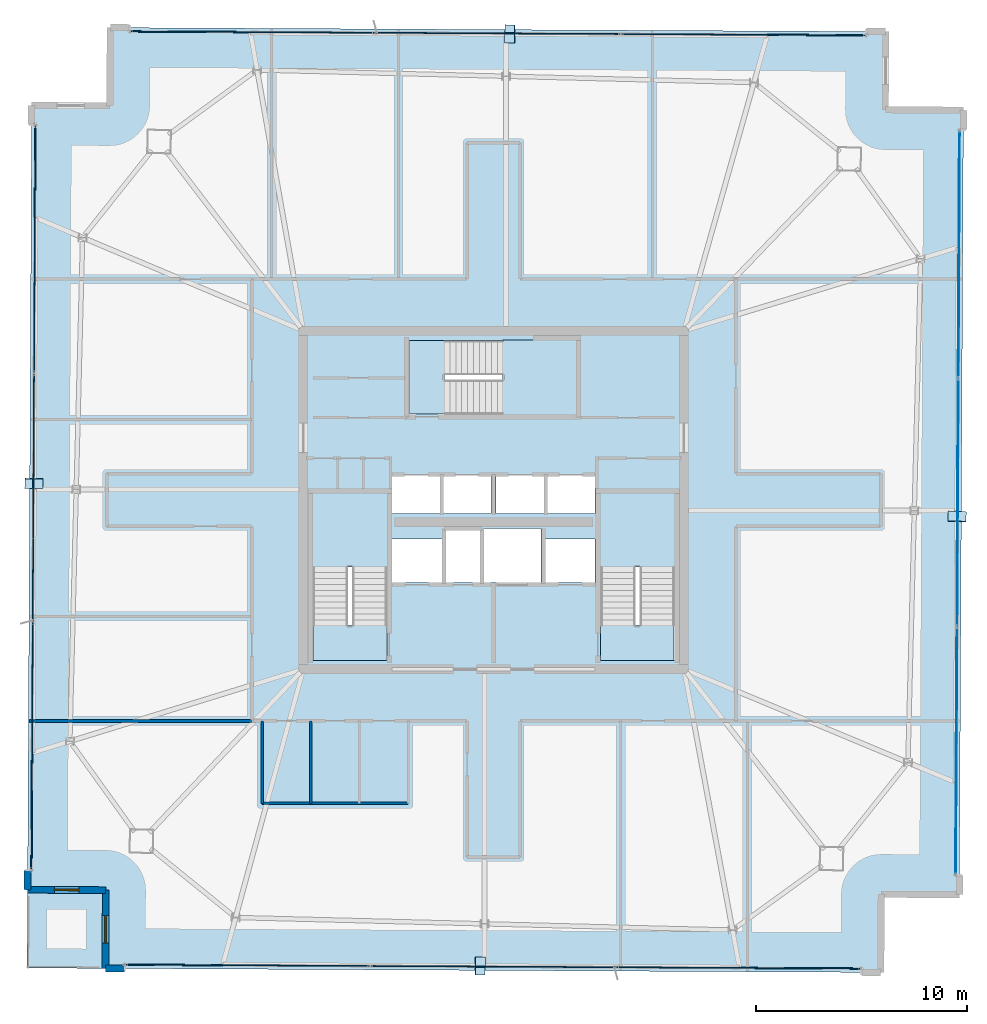
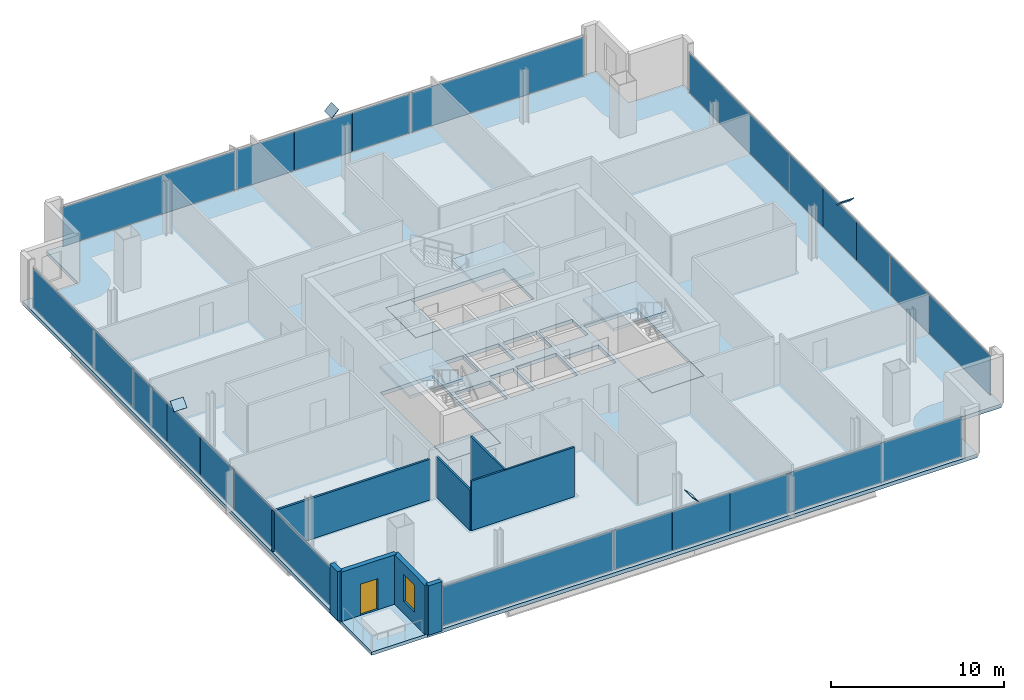
# One storey, part 18 of 24: 24 plates, 8 slabs, 8 walls, 1 door, 1 window, 2 openings, 7 elements without a shape of their own.
"""IFC4 building model written with IfcOpenShell, lengths in metres."""

from ifc_helpers import new_model, si_unit, direction, frame, frame_2d, origin, origin_2d, place, context, subcontext, project, spatial, polyline, rectangle, outline, extrude, source, transform, mapped, material, layer, layer_set, type_object, element, fill, aggregate, save


model = new_model("IFC4")

# Units and contexts
model_context = context("Model", 3, precision=1e-05, world=origin(), true_north=direction((0.0, 1.0)))
body_context = subcontext(model_context, "Body", "Model", "MODEL_VIEW")
ifc_project = project(units=[si_unit("LENGTHUNIT", "METRE"), si_unit("AREAUNIT", "SQUARE_METRE"), si_unit("VOLUMEUNIT", "CUBIC_METRE"), si_unit("PLANEANGLEUNIT", "RADIAN"), si_unit("MASSUNIT", "GRAM", prefix="KILO")], contexts=[model_context])

# Site, building, storey
site_placement = place(None, origin())
site = spatial("IfcSite", under=ifc_project, at=site_placement, CompositionType="ELEMENT")
building_placement = place(site_placement, origin())
building = spatial("IfcBuilding", under=site, at=building_placement, Name="Haldenkirk Collegiate Tower", CompositionType="ELEMENT")
storey_placement = place(building_placement, frame((0.0, 0.0, 328.949951171875)))
storey = spatial("IfcBuildingStorey", under=building, at=storey_placement, Name="L83", CompositionType="ELEMENT", Elevation=328.949951171875)

# Slab
ifc_material_1 = material(Name="Concrete f'c 40 MPa", Category="concrete")
ifc_layer_1 = layer(ifc_material_1, 0.260009765625)
ifc_layer_set_1 = layer_set([ifc_layer_1], Name="Concrete f'c 40 MPa")
slab_type_1 = type_object("IfcSlabType", Name="SLB-FLR-260", PredefinedType="FLOOR", material=ifc_layer_set_1)
slab_1_placement = place(storey_placement, frame((0.0, 0.0, -0.260009765625)))
element("IfcSlab", 1, at=slab_1_placement, inside=storey, type_object=slab_type_1, Name="L83 composite structural floor slab", PredefinedType="FLOOR", context=body_context, shape_type="SweptSolid", body=[
    extrude(outline(polyline([(58.027587890625, 7.33447265625), (58.2216796875, 44.433837890625), (54.52197265625, 44.453369140625), (54.541259765625, 48.1533203125), (17.86669921875, 48.34521484375), (17.847412109375, 44.645263671875), (14.1474609375, 44.664794921875), (13.953125, 7.565185546875), (17.653076171875, 7.5458984375), (17.6337890625, 3.845947265625), (54.30810546875, 3.65380859375), (54.32763671875, 7.353759765625), (58.027587890625, 7.33447265625)]), holes=[polyline([(27.449951171875, 18.39990234375), (30.949951171875, 18.39990234375), (30.949951171875, 26.300048828125), (27.449951171875, 26.300048828125), (27.449951171875, 18.39990234375)]), polyline([(41.050048828125, 18.39990234375), (44.550048828125, 18.39990234375), (44.550048828125, 26.300048828125), (41.050048828125, 26.300048828125), (41.050048828125, 18.39990234375)]), polyline([(32.0, 30.050048828125), (39.89990234375, 30.050048828125), (39.89990234375, 33.550048828125), (32.0, 33.550048828125), (32.0, 30.050048828125)]), polyline([(33.75, 22.10009765625), (35.35009765625, 22.10009765625), (35.35009765625, 24.550048828125), (33.75, 24.550048828125), (33.75, 22.10009765625)]), polyline([(31.199951171875, 25.35009765625), (33.47998046875, 25.35009765625), (33.47998046875, 27.14990234375), (31.199951171875, 27.14990234375), (31.199951171875, 25.35009765625)]), polyline([(33.60009765625, 25.35009765625), (35.8798828125, 25.35009765625), (35.8798828125, 27.14990234375), (33.60009765625, 27.14990234375), (33.60009765625, 25.35009765625)]), polyline([(36.1201171875, 25.35009765625), (38.39990234375, 25.35009765625), (38.39990234375, 27.14990234375), (36.1201171875, 27.14990234375), (36.1201171875, 25.35009765625)]), polyline([(38.52001953125, 25.35009765625), (40.800048828125, 25.35009765625), (40.800048828125, 27.14990234375), (38.52001953125, 27.14990234375), (38.52001953125, 25.35009765625)]), polyline([(31.199951171875, 22.10009765625), (33.550048828125, 22.10009765625), (33.550048828125, 24.14990234375), (31.199951171875, 24.14990234375), (31.199951171875, 22.10009765625)]), polyline([(38.449951171875, 22.10009765625), (40.800048828125, 22.10009765625), (40.800048828125, 24.14990234375), (38.449951171875, 24.14990234375), (38.449951171875, 22.10009765625)]), polyline([(35.550048828125, 22.10009765625), (38.25, 22.10009765625), (38.25, 24.64990234375), (35.550048828125, 24.64990234375), (35.550048828125, 22.10009765625)])]), origin(), (0.0, 0.0, 1.0), 0.260009765625),
])

# Stair, slab
stair_type = type_object("IfcStairType", Name="STR-DOGLEG-1650", PredefinedType="HALF_TURN_STAIR", material=ifc_material_1)
stair_1_placement = place(storey_placement, origin())
stair_1 = element("IfcStair", 2, at=stair_1_placement, inside=storey, type_object=stair_type, Name="L83 Core Exit Stair ST-1", PredefinedType="HALF_TURN_STAIR")
ifc_layer_2 = layer(ifc_material_1, 0.199951171875)
ifc_layer_set_2 = layer_set([ifc_layer_2], Name="Concrete f'c 40 MPa")
slab_type_2 = type_object("IfcSlabType", Name="SLB-LANDING-200", PredefinedType="LANDING", material=ifc_layer_set_2)
slab_2_placement = place(storey_placement, frame((0.0, 0.0, 1.675048828125)))
slab_2 = element("IfcSlab", 3, at=slab_2_placement, type_object=slab_type_2, Name="ST-1 landing 1", PredefinedType="LANDING", context=body_context, shape_type="SweptSolid", body=[
    extrude(outline(polyline([(30.97509765625, 22.824951171875), (27.425048828125, 22.824951171875), (27.425048828125, 26.324951171875), (30.97509765625, 26.324951171875), (30.97509765625, 22.824951171875)])), origin(), (0.0, 0.0, 1.0), 0.199951171875),
])
aggregate(stair_1, [slab_2])

stair_2_placement = place(storey_placement, origin())
stair_2 = element("IfcStair", 4, at=stair_2_placement, inside=storey, type_object=stair_type, Name="L83 Core Exit Stair ST-2", PredefinedType="HALF_TURN_STAIR")
slab_3_placement = place(storey_placement, frame((0.0, 0.0, 1.675048828125)))
slab_3 = element("IfcSlab", 5, at=slab_3_placement, type_object=slab_type_2, Name="ST-2 landing 1", PredefinedType="LANDING", context=body_context, shape_type="SweptSolid", body=[
    extrude(outline(polyline([(44.574951171875, 22.824951171875), (41.02490234375, 22.824951171875), (41.02490234375, 26.324951171875), (44.574951171875, 26.324951171875), (44.574951171875, 22.824951171875)])), origin(), (0.0, 0.0, 1.0), 0.199951171875),
])
aggregate(stair_2, [slab_3])

stair_3_placement = place(storey_placement, origin())
stair_3 = element("IfcStair", 6, at=stair_3_placement, inside=storey, type_object=stair_type, Name="L83 Core Exit Stair ST-3", PredefinedType="HALF_TURN_STAIR")
slab_4_placement = place(storey_placement, frame((0.0, 0.0, 1.675048828125)))
slab_4 = element("IfcSlab", 7, at=slab_4_placement, type_object=slab_type_2, Name="ST-3 landing 1", PredefinedType="LANDING", context=body_context, shape_type="SweptSolid", body=[
    extrude(outline(polyline([(36.425048828125, 30.02490234375), (36.425048828125, 33.574951171875), (39.925048828125, 33.574951171875), (39.925048828125, 30.02490234375), (36.425048828125, 30.02490234375)])), origin(), (0.0, 0.0, 1.0), 0.199951171875),
])
aggregate(stair_3, [slab_4])

# Slabs
ifc_layer_3 = layer(ifc_material_1, 0.25)
ifc_layer_set_3 = layer_set([ifc_layer_3], Name="Concrete f'c 40 MPa")
slab_type_3 = type_object("IfcSlabType", Name="SLB-STAIRLAND-250", PredefinedType="LANDING", material=ifc_layer_set_3)
slab_5_placement = place(storey_placement, frame((0.0, 0.0, -0.25)))
element("IfcSlab", 8, at=slab_5_placement, inside=storey, type_object=slab_type_3, Name="L83 stair ST1 structural floor landing slab", PredefinedType="LANDING", context=body_context, shape_type="SweptSolid", body=[
    extrude(outline(polyline([(27.4599609375, 18.409912109375), (30.93994140625, 18.409912109375), (30.93994140625, 20.080078125), (27.4599609375, 20.080078125), (27.4599609375, 18.409912109375)])), origin(), (0.0, 0.0, 1.0), 0.25),
])
slab_6_placement = place(storey_placement, frame((0.0, 0.0, -0.25)))
element("IfcSlab", 9, at=slab_6_placement, inside=storey, type_object=slab_type_3, Name="L83 stair ST2 structural floor landing slab", PredefinedType="LANDING", context=body_context, shape_type="SweptSolid", body=[
    extrude(outline(polyline([(41.06005859375, 18.409912109375), (44.5400390625, 18.409912109375), (44.5400390625, 20.080078125), (41.06005859375, 20.080078125), (41.06005859375, 18.409912109375)])), origin(), (0.0, 0.0, 1.0), 0.25),
])
slab_7_placement = place(storey_placement, frame((0.0, 0.0, -0.25)))
element("IfcSlab", 10, at=slab_7_placement, inside=storey, type_object=slab_type_3, Name="L83 stair ST3 structural floor landing slab", PredefinedType="LANDING", context=body_context, shape_type="SweptSolid", body=[
    extrude(outline(polyline([(32.010009765625, 30.06005859375), (33.679931640625, 30.06005859375), (33.679931640625, 33.5400390625), (32.010009765625, 33.5400390625), (32.010009765625, 30.06005859375)])), origin(), (0.0, 0.0, 1.0), 0.25),
])
ifc_layer_4 = layer(ifc_material_1, 0.22998046875)
ifc_layer_set_4 = layer_set([ifc_layer_4], Name="Concrete f'c 40 MPa")
slab_type_4 = type_object("IfcSlabType", Name="SLB-TERR-SPIRAL-230", PredefinedType="FLOOR", material=ifc_layer_set_4)
slab_8_placement = place(storey_placement, frame((0.0, 0.0, -0.22998046875)))
element("IfcSlab", 11, at=slab_8_placement, inside=storey, type_object=slab_type_4, Name="L83 spiralling corner terrace slab", PredefinedType="FLOOR", context=body_context, shape_type="SweptSolid", body=[
    extrude(outline(polyline([(17.6337890625, 3.845947265625), (17.653076171875, 7.5458984375), (13.953125, 7.565185546875), (13.933837890625, 3.865234375), (17.6337890625, 3.845947265625)])), origin(), (0.0, 0.0, 1.0), 0.22998046875),
])

# Plates
ifc_material_2 = material(Name="Steel ASTM A572 Grade 50", Category="steel")
ifc_layer_5 = layer(ifc_material_2, 0.034912109375)
ifc_layer_set_5 = layer_set([ifc_layer_5], Name="Steel ASTM A572 Grade 50")
plate_type_1 = type_object("IfcPlateType", Name="PLT-CAP-EXT-760X600", PredefinedType="USERDEFINED", material=ifc_layer_set_5)
shared_shape_1 = source(origin(), body_context, "Body", "SweptSolid", [
    extrude(rectangle(XDim=0.860107421875, YDim=0.659912109375, at=origin_2d()), origin(), (0.0, 0.0, 1.0), 0.034912109375),
])
for number, where, z_axis, x_axis, name in (
    (12, (57.9189453125, 25.203857421875, 3.47802734375), (0.023845012577, 0.72411838193, 0.689263363546), (-0.999458255389, 0.032911939105, -6.5898e-08), "Perimeter Mega Brace Z6 L81-L83 SL end cap plate 2"),
    (13, (36.778076171875, 48.0439453125, 3.47802734375), (-0.715404753856, 0.012369995744, 0.698600759637), (-0.01728816053, -0.999850548585, 1.64332e-07), "Perimeter Mega Brace Z6 L81-L83 EL end cap plate 2"),
    (14, (14.255859375, 26.794677734375, 3.47802734375), (-0.013274994234, -0.726304684539, 0.687244701504), (0.999833012725, -0.018274207665, 1.96212e-07), "Perimeter Mega Brace Z6 L81-L83 NL end cap plate 2"),
    (15, (35.34814453125, 3.9580078125, 3.47802734375), (0.715408804797, -0.011897996754, 0.698604809382), (0.016628868013, 0.999861730815, -1.24481e-07), "Perimeter Mega Brace Z6 L81-L83 WL end cap plate 2"),
):
    element("IfcPlate", number, at=place(storey_placement, frame(where, z_axis=z_axis, x_axis=x_axis)), inside=storey, type_object=plate_type_1, Name=name, ObjectType="END CAP PLATE", PredefinedType="USERDEFINED", context=body_context, shape_type="MappedRepresentation", body=[
        mapped(shared_shape_1, transform((0.0, 0.0, 0.0), x_axis=(1.0, 0.0, 0.0), y_axis=(0.0, 1.0, 0.0), z_axis=(0.0, 0.0, 1.0), scale=1.0)),
    ])

# Curtain wall, plates
ifc_material_3 = material(Name="Anodised architectural bronze aluminium", Category="aluminium")
curtain_wall_type_1 = type_object("IfcCurtainWallType", Name="CW-SYS2-CONCAVE", PredefinedType="USERDEFINED", material=ifc_material_3)
curtain_wall_1_placement = place(storey_placement, origin())
curtain_wall_1 = element("IfcCurtainWall", 16, at=curtain_wall_1_placement, inside=storey, type_object=curtain_wall_type_1, Name="L83 South concave recessed bronze-anodised curtain wall", ObjectType="UNITISED CURTAIN WALL", PredefinedType="USERDEFINED")
ifc_material_4 = material(Name="Bronze-anodised insulated aluminium spandrel panel", Category="aluminium")
ifc_layer_6 = layer(ifc_material_4, 0.0419921875)
ifc_layer_set_6 = layer_set([ifc_layer_6], Name="Bronze-anodised insulated aluminium spandrel panel")
plate_type_2 = type_object("IfcPlateType", Name="CW-SPD-02", PredefinedType="CURTAIN_PANEL", material=ifc_layer_set_6)
shared_shape_2 = source(origin(), body_context, "Body", "SweptSolid", [
    extrude(rectangle(XDim=3.872314453125, YDim=0.0419921875, at=origin_2d()), origin(), (0.0, 0.0, 1.0), 2.798095703125),
])
plate_1_placement = place(storey_placement, frame((57.944580078125, 25.885009765625, 0.0751953125), z_axis=(0.0, 0.0, 1.0), x_axis=(-0.00523512989, -0.999986296614, 0.0)))
plate_1 = element("IfcPlate", 17, at=plate_1_placement, type_object=plate_type_2, Name="CW-02 spandrel panel 2.1b", PredefinedType="CURTAIN_PANEL", context=body_context, shape_type="MappedRepresentation", body=[
    mapped(shared_shape_2, transform((0.0, 0.0, 0.0), x_axis=(1.0, 0.0, 0.0), y_axis=(0.0, 1.0, 0.0), z_axis=(0.0, 0.0, 1.0), scale=1.0)),
])
shared_shape_3 = source(origin(), body_context, "Body", "SweptSolid", [
    extrude(rectangle(XDim=3.884765625, YDim=0.0419921875, at=origin_2d()), origin(), (0.0, 0.0, 1.0), 2.798095703125),
])
plate_2_placement = place(storey_placement, frame((57.965087890625, 29.78857421875, 0.0751953125), z_axis=(0.0, 0.0, 1.0), x_axis=(-0.00523512989, -0.999986296614, 0.0)))
plate_2 = element("IfcPlate", 18, at=plate_2_placement, type_object=plate_type_2, Name="CW-02 spandrel panel 2.1a", PredefinedType="CURTAIN_PANEL", context=body_context, shape_type="MappedRepresentation", body=[
    mapped(shared_shape_3, transform((0.0, 0.0, 0.0), x_axis=(1.0, 0.0, 0.0), y_axis=(0.0, 1.0, 0.0), z_axis=(0.0, 0.0, 1.0), scale=1.0)),
])
plate_3_placement = place(storey_placement, frame((57.92431640625, 21.981689453125, 0.0751953125), z_axis=(0.0, 0.0, 1.0), x_axis=(-0.00523512989, -0.999986296614, 0.0)))
plate_3 = element("IfcPlate", 19, at=plate_3_placement, type_object=plate_type_2, Name="CW-02 spandrel panel 2.1c", PredefinedType="CURTAIN_PANEL", context=body_context, shape_type="MappedRepresentation", body=[
    mapped(shared_shape_3, transform((0.0, 0.0, 0.0), x_axis=(1.0, 0.0, 0.0), y_axis=(0.0, 1.0, 0.0), z_axis=(0.0, 0.0, 1.0), scale=1.0)),
])

curtain_wall_type_2 = type_object("IfcCurtainWallType", Name="CW-SYS1B-CONVEX-HI", PredefinedType="USERDEFINED", material=ifc_material_3)
curtain_wall_2_placement = place(storey_placement, origin())
curtain_wall_2 = element("IfcCurtainWall", 20, at=curtain_wall_2_placement, inside=storey, type_object=curtain_wall_type_2, Name="L83 Upper tower high-wind convex bronze unitised curtain wall", ObjectType="UNITISED CURTAIN WALL", PredefinedType="USERDEFINED")
ifc_layer_7 = layer(ifc_material_4, 0.048095703125)
ifc_layer_set_7 = layer_set([ifc_layer_7], Name="Bronze-anodised insulated aluminium spandrel panel")
plate_type_3 = type_object("IfcPlateType", Name="CW-SPD-1B", PredefinedType="CURTAIN_PANEL", material=ifc_layer_set_7)
shared_shape_4 = source(origin(), body_context, "Body", "SweptSolid", [
    extrude(rectangle(XDim=3.834228515625, YDim=0.048095703125, at=origin_2d()), origin(), (0.0, 0.0, 1.0), 2.778076171875),
])
plate_4_placement = place(storey_placement, frame((32.35009765625, 48.08935546875, 0.0849609375), z_axis=(0.0, 0.0, 1.0), x_axis=(0.999986277771, -0.005238727924, 0.0)))
plate_4 = element("IfcPlate", 21, at=plate_4_placement, type_object=plate_type_3, Name="CW-1B spandrel panel 2.1a", PredefinedType="CURTAIN_PANEL", context=body_context, shape_type="MappedRepresentation", body=[
    mapped(shared_shape_4, transform((0.0, 0.0, 0.0), x_axis=(1.0, 0.0, 0.0), y_axis=(0.0, 1.0, 0.0), z_axis=(0.0, 0.0, 1.0), scale=1.0)),
])
plate_5_placement = place(storey_placement, frame((40.055908203125, 48.049072265625, 0.0849609375), z_axis=(0.0, 0.0, 1.0), x_axis=(0.999986277771, -0.005238727924, 0.0)))
plate_5 = element("IfcPlate", 22, at=plate_5_placement, type_object=plate_type_3, Name="CW-1B spandrel panel 2.1c", PredefinedType="CURTAIN_PANEL", context=body_context, shape_type="MappedRepresentation", body=[
    mapped(shared_shape_4, transform((0.0, 0.0, 0.0), x_axis=(1.0, 0.0, 0.0), y_axis=(0.0, 1.0, 0.0), z_axis=(0.0, 0.0, 1.0), scale=1.0)),
])

curtain_wall_3_placement = place(storey_placement, origin())
curtain_wall_3 = element("IfcCurtainWall", 23, at=curtain_wall_3_placement, inside=storey, type_object=curtain_wall_type_2, Name="L83 Upper tower high-wind convex bronze unitised curtain wall", ObjectType="UNITISED CURTAIN WALL", PredefinedType="USERDEFINED")
plate_6_placement = place(storey_placement, frame((39.82470703125, 3.90966796875, 0.0849609375), z_axis=(0.0, 0.0, 1.0), x_axis=(-0.999986277849, 0.005238712897, 0.0)))
plate_6 = element("IfcPlate", 24, at=plate_6_placement, type_object=plate_type_3, Name="CW-1B spandrel panel 2.1a", PredefinedType="CURTAIN_PANEL", context=body_context, shape_type="MappedRepresentation", body=[
    mapped(shared_shape_4, transform((0.0, 0.0, 0.0), x_axis=(1.0, 0.0, 0.0), y_axis=(0.0, 1.0, 0.0), z_axis=(0.0, 0.0, 1.0), scale=1.0)),
])
plate_7_placement = place(storey_placement, frame((32.118896484375, 3.949951171875, 0.0849609375), z_axis=(0.0, 0.0, 1.0), x_axis=(-0.999986277849, 0.005238712897, 0.0)))
plate_7 = element("IfcPlate", 25, at=plate_7_placement, type_object=plate_type_3, Name="CW-1B spandrel panel 2.1c", PredefinedType="CURTAIN_PANEL", context=body_context, shape_type="MappedRepresentation", body=[
    mapped(shared_shape_4, transform((0.0, 0.0, 0.0), x_axis=(1.0, 0.0, 0.0), y_axis=(0.0, 1.0, 0.0), z_axis=(0.0, 0.0, 1.0), scale=1.0)),
])

# Plate
shared_shape_5 = source(origin(), body_context, "Body", "SweptSolid", [
    extrude(rectangle(XDim=3.82177734375, YDim=0.048095703125, at=origin_2d()), origin(), (0.0, 0.0, 1.0), 2.778076171875),
])
plate_8_placement = place(storey_placement, frame((36.203125, 48.069091796875, 0.0849609375), z_axis=(0.0, 0.0, 1.0), x_axis=(0.999986277771, -0.005238727924, 0.0)))
plate_8 = element("IfcPlate", 26, at=plate_8_placement, type_object=plate_type_3, Name="CW-1B spandrel panel 2.1b", PredefinedType="CURTAIN_PANEL", context=body_context, shape_type="MappedRepresentation", body=[
    mapped(shared_shape_5, transform((0.0, 0.0, 0.0), x_axis=(1.0, 0.0, 0.0), y_axis=(0.0, 1.0, 0.0), z_axis=(0.0, 0.0, 1.0), scale=1.0)),
])

plate_9_placement = place(storey_placement, frame((35.971923828125, 3.9296875, 0.0849609375), z_axis=(0.0, 0.0, 1.0), x_axis=(-0.999986277849, 0.005238712897, 0.0)))
plate_9 = element("IfcPlate", 27, at=plate_9_placement, type_object=plate_type_3, Name="CW-1B spandrel panel 2.1b", PredefinedType="CURTAIN_PANEL", context=body_context, shape_type="MappedRepresentation", body=[
    mapped(shared_shape_5, transform((0.0, 0.0, 0.0), x_axis=(1.0, 0.0, 0.0), y_axis=(0.0, 1.0, 0.0), z_axis=(0.0, 0.0, 1.0), scale=1.0)),
])

# Curtain wall, plates
curtain_wall_4_placement = place(storey_placement, origin())
curtain_wall_4 = element("IfcCurtainWall", 28, at=curtain_wall_4_placement, inside=storey, type_object=curtain_wall_type_2, Name="L83 Upper tower high-wind convex bronze unitised curtain wall", ObjectType="UNITISED CURTAIN WALL", PredefinedType="USERDEFINED")
shared_shape_6 = source(origin(), body_context, "Body", "SweptSolid", [
    extrude(rectangle(XDim=3.88134765625, YDim=0.048095703125, at=origin_2d()), origin(), (0.0, 0.0, 1.0), 2.778076171875),
])
plate_10_placement = place(storey_placement, frame((14.2099609375, 22.214111328125, 0.0849609375), z_axis=(0.0, 0.0, 1.0), x_axis=(0.00523512989, 0.999986296614, 0.0)))
plate_10 = element("IfcPlate", 29, at=plate_10_placement, type_object=plate_type_3, Name="CW-1B spandrel panel 2.1a", PredefinedType="CURTAIN_PANEL", context=body_context, shape_type="MappedRepresentation", body=[
    mapped(shared_shape_6, transform((0.0, 0.0, 0.0), x_axis=(1.0, 0.0, 0.0), y_axis=(0.0, 1.0, 0.0), z_axis=(0.0, 0.0, 1.0), scale=1.0)),
])
plate_11_placement = place(storey_placement, frame((14.250732421875, 30.01416015625, 0.0849609375), z_axis=(0.0, 0.0, 1.0), x_axis=(0.00523512989, 0.999986296614, 0.0)))
plate_11 = element("IfcPlate", 30, at=plate_11_placement, type_object=plate_type_3, Name="CW-1B spandrel panel 2.1c", PredefinedType="CURTAIN_PANEL", context=body_context, shape_type="MappedRepresentation", body=[
    mapped(shared_shape_6, transform((0.0, 0.0, 0.0), x_axis=(1.0, 0.0, 0.0), y_axis=(0.0, 1.0, 0.0), z_axis=(0.0, 0.0, 1.0), scale=1.0)),
])
shared_shape_7 = source(origin(), body_context, "Body", "SweptSolid", [
    extrude(rectangle(XDim=3.868896484375, YDim=0.048095703125, at=origin_2d()), origin(), (0.0, 0.0, 1.0), 2.778076171875),
])
plate_12_placement = place(storey_placement, frame((14.230224609375, 26.114013671875, 0.0849609375), z_axis=(0.0, 0.0, 1.0), x_axis=(0.00523512989, 0.999986296614, 0.0)))
plate_12 = element("IfcPlate", 31, at=plate_12_placement, type_object=plate_type_3, Name="CW-1B spandrel panel 2.1b", PredefinedType="CURTAIN_PANEL", context=body_context, shape_type="MappedRepresentation", body=[
    mapped(shared_shape_7, transform((0.0, 0.0, 0.0), x_axis=(1.0, 0.0, 0.0), y_axis=(0.0, 1.0, 0.0), z_axis=(0.0, 0.0, 1.0), scale=1.0)),
])

# Plate
ifc_material_5 = material(Name="Low-E argon triple insulating glass", Category="glass")
ifc_layer_8 = layer(ifc_material_5, 0.0419921875)
ifc_layer_set_8 = layer_set([ifc_layer_8], Name="Low-E argon triple insulating glass")
plate_type_4 = type_object("IfcPlateType", Name="CW-PNL-02", PredefinedType="CURTAIN_PANEL", material=ifc_layer_set_8)
shared_shape_8 = source(origin(), body_context, "Body", "SweptSolid", [
    extrude(rectangle(XDim=11.654052734375, YDim=0.0419921875, at=origin_2d()), origin(), (0.0, 0.0, 1.0), 2.798095703125),
])
plate_13_placement = place(storey_placement, frame((58.006103515625, 37.6328125, 0.0751953125), z_axis=(0.0, 0.0, 1.0), x_axis=(-0.00523512989, -0.999986296614, 0.0)))
plate_13 = element("IfcPlate", 32, at=plate_13_placement, type_object=plate_type_4, Name="CW-02 panel 1.1", PredefinedType="CURTAIN_PANEL", context=body_context, shape_type="MappedRepresentation", body=[
    mapped(shared_shape_8, transform((0.0, 0.0, 0.0), x_axis=(1.0, 0.0, 0.0), y_axis=(0.0, 1.0, 0.0), z_axis=(0.0, 0.0, 1.0), scale=1.0)),
])

plate_14_placement = place(storey_placement, frame((57.88330078125, 14.13720703125, 0.0751953125), z_axis=(0.0, 0.0, 1.0), x_axis=(-0.00523512989, -0.999986296614, 0.0)))
plate_14 = element("IfcPlate", 33, at=plate_14_placement, type_object=plate_type_4, Name="CW-02 panel 3.1", PredefinedType="CURTAIN_PANEL", context=body_context, shape_type="MappedRepresentation", body=[
    mapped(shared_shape_8, transform((0.0, 0.0, 0.0), x_axis=(1.0, 0.0, 0.0), y_axis=(0.0, 1.0, 0.0), z_axis=(0.0, 0.0, 1.0), scale=1.0)),
])

aggregate(curtain_wall_1, [plate_13, plate_2, plate_1, plate_3, plate_14])

ifc_layer_9 = layer(ifc_material_5, 0.048095703125)
ifc_layer_set_9 = layer_set([ifc_layer_9], Name="Low-E argon triple insulating glass")
plate_type_5 = type_object("IfcPlateType", Name="CW-PNL-1B", PredefinedType="CURTAIN_PANEL", material=ifc_layer_set_9)
shared_shape_9 = source(origin(), body_context, "Body", "SweptSolid", [
    extrude(rectangle(XDim=11.49755859375, YDim=0.048095703125, at=origin_2d()), origin(), (0.0, 0.0, 1.0), 2.778076171875),
])
plate_15_placement = place(storey_placement, frame((24.599609375, 48.130126953125, 0.0849609375), z_axis=(0.0, 0.0, 1.0), x_axis=(0.999986277771, -0.005238727924, 0.0)))
plate_15 = element("IfcPlate", 34, at=plate_15_placement, type_object=plate_type_5, Name="CW-1B panel 1.1", PredefinedType="CURTAIN_PANEL", context=body_context, shape_type="MappedRepresentation", body=[
    mapped(shared_shape_9, transform((0.0, 0.0, 0.0), x_axis=(1.0, 0.0, 0.0), y_axis=(0.0, 1.0, 0.0), z_axis=(0.0, 0.0, 1.0), scale=1.0)),
])

plate_16_placement = place(storey_placement, frame((47.806640625, 48.008544921875, 0.0849609375), z_axis=(0.0, 0.0, 1.0), x_axis=(0.999986277771, -0.005238727924, 0.0)))
plate_16 = element("IfcPlate", 35, at=plate_16_placement, type_object=plate_type_5, Name="CW-1B panel 3.1", PredefinedType="CURTAIN_PANEL", context=body_context, shape_type="MappedRepresentation", body=[
    mapped(shared_shape_9, transform((0.0, 0.0, 0.0), x_axis=(1.0, 0.0, 0.0), y_axis=(0.0, 1.0, 0.0), z_axis=(0.0, 0.0, 1.0), scale=1.0)),
])

aggregate(curtain_wall_2, [plate_15, plate_4, plate_8, plate_5, plate_16])

plate_17_placement = place(storey_placement, frame((47.575439453125, 3.869140625, 0.0849609375), z_axis=(0.0, 0.0, 1.0), x_axis=(-0.999986277849, 0.005238712897, 0.0)))
plate_17 = element("IfcPlate", 36, at=plate_17_placement, type_object=plate_type_5, Name="CW-1B panel 1.1", PredefinedType="CURTAIN_PANEL", context=body_context, shape_type="MappedRepresentation", body=[
    mapped(shared_shape_9, transform((0.0, 0.0, 0.0), x_axis=(1.0, 0.0, 0.0), y_axis=(0.0, 1.0, 0.0), z_axis=(0.0, 0.0, 1.0), scale=1.0)),
])

plate_18_placement = place(storey_placement, frame((24.3681640625, 3.99072265625, 0.0849609375), z_axis=(0.0, 0.0, 1.0), x_axis=(-0.999986277849, 0.005238712897, 0.0)))
plate_18 = element("IfcPlate", 37, at=plate_18_placement, type_object=plate_type_5, Name="CW-1B panel 3.1", PredefinedType="CURTAIN_PANEL", context=body_context, shape_type="MappedRepresentation", body=[
    mapped(shared_shape_9, transform((0.0, 0.0, 0.0), x_axis=(1.0, 0.0, 0.0), y_axis=(0.0, 1.0, 0.0), z_axis=(0.0, 0.0, 1.0), scale=1.0)),
])

aggregate(curtain_wall_3, [plate_17, plate_6, plate_9, plate_7, plate_18])

shared_shape_10 = source(origin(), body_context, "Body", "SweptSolid", [
    extrude(rectangle(XDim=11.63916015625, YDim=0.048095703125, at=origin_2d()), origin(), (0.0, 0.0, 1.0), 2.778076171875),
])
plate_19_placement = place(storey_placement, frame((14.168701171875, 14.368896484375, 0.0849609375), z_axis=(0.0, 0.0, 1.0), x_axis=(0.00523512989, 0.999986296614, 0.0)))
plate_19 = element("IfcPlate", 38, at=plate_19_placement, type_object=plate_type_5, Name="CW-1B panel 1.1", PredefinedType="CURTAIN_PANEL", context=body_context, shape_type="MappedRepresentation", body=[
    mapped(shared_shape_10, transform((0.0, 0.0, 0.0), x_axis=(1.0, 0.0, 0.0), y_axis=(0.0, 1.0, 0.0), z_axis=(0.0, 0.0, 1.0), scale=1.0)),
])

plate_20_placement = place(storey_placement, frame((14.291748046875, 37.859375, 0.0849609375), z_axis=(0.0, 0.0, 1.0), x_axis=(0.00523512989, 0.999986296614, 0.0)))
plate_20 = element("IfcPlate", 39, at=plate_20_placement, type_object=plate_type_5, Name="CW-1B panel 3.1", PredefinedType="CURTAIN_PANEL", context=body_context, shape_type="MappedRepresentation", body=[
    mapped(shared_shape_10, transform((0.0, 0.0, 0.0), x_axis=(1.0, 0.0, 0.0), y_axis=(0.0, 1.0, 0.0), z_axis=(0.0, 0.0, 1.0), scale=1.0)),
])

aggregate(curtain_wall_4, [plate_19, plate_10, plate_12, plate_11, plate_20])

# Wall
ifc_material_6 = material(Name="Precast concrete f'c 40 MPa", Category="concrete")
ifc_layer_10 = layer(ifc_material_6, 0.320068359375)
ifc_layer_set_10 = layer_set([ifc_layer_10], Name="Precast concrete f'c 40 MPa")
wall_type_1 = type_object("IfcWallType", Name="WL-EXT-TWR-320", PredefinedType="STANDARD", material=ifc_layer_set_10)
wall_1_placement = place(storey_placement, frame((13.953125, 7.565185546875, 0.0), z_axis=(0.0, 0.0, 1.0), x_axis=(0.005425856104, 0.999985279934, 0.0)))
element("IfcWall", 40, at=wall_1_placement, inside=storey, type_object=wall_type_1, Name="L83 precast corner pier NL", PredefinedType="STANDARD", context=body_context, shape_type="SweptSolid", body=[
    extrude(rectangle(XDim=0.89990234375, YDim=0.320068359375, at=frame_2d((0.449951171875, 0.0))), origin(), (0.0, 0.0, 1.0), 3.489990234375),
])

# Wall, opening, door
wall_2_placement = place(storey_placement, frame((17.653076171875, 7.5458984375, 0.0), z_axis=(0.0, 0.0, 1.0), x_axis=(-0.999986413629, 0.005212730233, 0.0)))
wall_2 = element("IfcWall", 41, at=wall_2_placement, inside=storey, type_object=wall_type_1, Name="L83 bronze precast notch wall 08", PredefinedType="STANDARD", context=body_context, shape_type="SweptSolid", body=[
    extrude(rectangle(XDim=3.699951171875, YDim=0.320068359375, at=frame_2d((1.85009765625, 0.0))), origin(), (0.0, 0.0, 1.0), 3.489990234375),
])
opening_1_placement = place(wall_2_placement, frame((1.27490234375, 0.0, 0.0)))
opening_1 = element("IfcOpeningElement", 42, at=opening_1_placement, cuts=wall_2, Name="Opening D-ST11", PredefinedType="OPENING", context=body_context, shape_type="SweptSolid", body=[
    extrude(rectangle(XDim=1.14990234375, YDim=2.199951171875, at=frame_2d((0.574951171875, 1.10009765625))), frame((0.0, 0.169921875, 0.0), z_axis=(0.0, -1.0, 0.0), x_axis=(1.0, 0.0, 0.0)), (0.0, 0.0, 1.0), 0.340087890625),
])
ifc_layer_11 = layer(ifc_material_3, 0.080078125)
ifc_layer_set_11 = layer_set([ifc_layer_11], Name="Anodised architectural bronze aluminium")
door_type = type_object("IfcDoorType", Name="DR-EXT-STER-1150", OperationType="NOTDEFINED", PredefinedType="DOOR", material=ifc_layer_set_11)
door_placement = place(opening_1_placement, origin())
door = element("IfcDoor", 43, at=door_placement, inside=storey, type_object=door_type, Name="L83 spiralling terrace door", OperationType="SINGLE_SWING_RIGHT", OverallHeight=2.199951171875, OverallWidth=1.14990234375, PredefinedType="DOOR", context=body_context, shape_type="SweptSolid", body=[
    extrude(rectangle(XDim=1.14990234375, YDim=2.199951171875, at=frame_2d((0.574951171875, 1.10009765625))), frame((0.0, 0.02490234375, 0.0), z_axis=(0.0, -1.0, 0.0), x_axis=(1.0, 0.0, 0.0)), (0.0, 0.0, 1.0), 0.050048828125),
])
fill(opening_1, door)

# Wall, opening, window
wall_3_placement = place(storey_placement, frame((17.6337890625, 3.845947265625, 0.0), z_axis=(0.0, 0.0, 1.0), x_axis=(0.005212730233, 0.999986413629, 0.0)))
wall_3 = element("IfcWall", 44, at=wall_3_placement, inside=storey, type_object=wall_type_1, Name="L83 bronze precast notch wall 09", PredefinedType="STANDARD", context=body_context, shape_type="SweptSolid", body=[
    extrude(rectangle(XDim=3.699951171875, YDim=0.320068359375, at=frame_2d((1.85009765625, 0.0))), origin(), (0.0, 0.0, 1.0), 3.489990234375),
])
opening_2_placement = place(wall_3_placement, frame((1.199951171875, 0.0, 0.85009765625)))
opening_2 = element("IfcOpeningElement", 45, at=opening_2_placement, cuts=wall_3, Name="Opening W-08", PredefinedType="OPENING", context=body_context, shape_type="SweptSolid", body=[
    extrude(rectangle(XDim=1.300048828125, YDim=1.89990234375, at=frame_2d((0.64990234375, 0.949951171875))), frame((0.0, 0.169921875, 0.0), z_axis=(0.0, -1.0, 0.0), x_axis=(1.0, 0.0, 0.0)), (0.0, 0.0, 1.0), 0.340087890625),
])
ifc_layer_12 = layer(ifc_material_5, 0.090087890625)
ifc_layer_set_12 = layer_set([ifc_layer_12], Name="Low-E argon triple insulating glass")
window_type = type_object("IfcWindowType", Name="WN-Z6-1300X1900", PartitioningType="SINGLE_PANEL", PredefinedType="WINDOW", material=ifc_layer_set_12)
window_placement = place(opening_2_placement, origin())
window = element("IfcWindow", 46, at=window_placement, inside=storey, type_object=window_type, Name="L83 precast-frame academic window 8", OverallHeight=1.89990234375, OverallWidth=1.300048828125, PartitioningType="SINGLE_PANEL", PredefinedType="WINDOW", context=body_context, shape_type="SweptSolid", body=[
    extrude(rectangle(XDim=1.300048828125, YDim=1.89990234375, at=frame_2d((0.64990234375, 0.949951171875))), frame((0.0, 0.030029296875, 0.0), z_axis=(0.0, -1.0, 0.0), x_axis=(1.0, 0.0, 0.0)), (0.0, 0.0, 1.0), 0.06005859375),
])
fill(opening_2, window)

# Walls
wall_4_placement = place(storey_placement, frame((18.53369140625, 3.84130859375, 0.0), z_axis=(0.0, 0.0, 1.0), x_axis=(-0.999986715112, 0.005154570696, 0.0)))
element("IfcWall", 47, at=wall_4_placement, inside=storey, type_object=wall_type_1, Name="L83 precast corner pier WR", PredefinedType="STANDARD", context=body_context, shape_type="SweptSolid", body=[
    extrude(rectangle(XDim=0.89990234375, YDim=0.320068359375, at=frame_2d((0.449951171875, 0.0))), origin(), (0.0, 0.0, 1.0), 3.489990234375),
])
ifc_material_7 = material(Name="Acoustic fire-rated gypsum partition", Category="concrete")
ifc_layer_13 = layer(ifc_material_7, 0.139892578125)
ifc_layer_set_13 = layer_set([ifc_layer_13], Name="Acoustic fire-rated gypsum partition")
wall_type_2 = type_object("IfcWallType", Name="WL-INT-DIV-140", PredefinedType="PARTITIONING", material=ifc_layer_set_13)
wall_5_placement = place(storey_placement, frame((14.034912109375, 15.550048828125, 0.0), z_axis=(0.0, 0.0, 1.0), x_axis=(1.0, 0.0, 0.0)))
element("IfcWall", 48, at=wall_5_placement, inside=storey, type_object=wall_type_2, Name="L83 interior partition IW-L83-BWS", PredefinedType="PARTITIONING", context=body_context, shape_type="SweptSolid", body=[
    extrude(rectangle(XDim=10.51513671875, YDim=0.139892578125, at=frame_2d((5.257568359375, 0.0))), origin(), (0.0, 0.0, 1.0), 2.8681640625),
])
ifc_layer_14 = layer(ifc_material_7, 0.1201171875)
ifc_layer_set_14 = layer_set([ifc_layer_14], Name="Acoustic fire-rated gypsum partition")
wall_type_3 = type_object("IfcWallType", Name="WL-INT-WET-120", PredefinedType="PARTITIONING", material=ifc_layer_set_14)
wall_6_placement = place(storey_placement, frame((25.050048828125, 11.64990234375, 0.0), z_axis=(0.0, 0.0, 1.0), x_axis=(0.0, 1.0, 0.0)))
element("IfcWall", 49, at=wall_6_placement, inside=storey, type_object=wall_type_3, Name="L83 interior partition IW-L83-WCW", PredefinedType="PARTITIONING", context=body_context, shape_type="SweptSolid", body=[
    extrude(rectangle(XDim=3.900146484375, YDim=0.1201171875, at=frame_2d((1.9501953125, 0.0))), origin(), (0.0, 0.0, 1.0), 2.8681640625),
])
wall_7_placement = place(storey_placement, frame((27.35009765625, 11.64990234375, 0.0), z_axis=(0.0, 0.0, 1.0), x_axis=(0.0, 1.0, 0.0)))
element("IfcWall", 50, at=wall_7_placement, inside=storey, type_object=wall_type_3, Name="L83 interior partition IW-L83-WC1", PredefinedType="PARTITIONING", context=body_context, shape_type="SweptSolid", body=[
    extrude(rectangle(XDim=3.900146484375, YDim=0.1201171875, at=frame_2d((1.9501953125, 0.0))), origin(), (0.0, 0.0, 1.0), 3.489990234375),
])
wall_8_placement = place(storey_placement, frame((25.050048828125, 11.64990234375, 0.0), z_axis=(0.0, 0.0, 1.0), x_axis=(1.0, 0.0, 0.0)))
element("IfcWall", 51, at=wall_8_placement, inside=storey, type_object=wall_type_3, Name="L83 interior partition IW-L83-WCB", PredefinedType="PARTITIONING", context=body_context, shape_type="SweptSolid", body=[
    extrude(rectangle(XDim=6.89990234375, YDim=0.1201171875, at=frame_2d((3.449951171875, 0.0))), origin(), (0.0, 0.0, 1.0), 3.489990234375),
])

save(model, "model.ifc")
